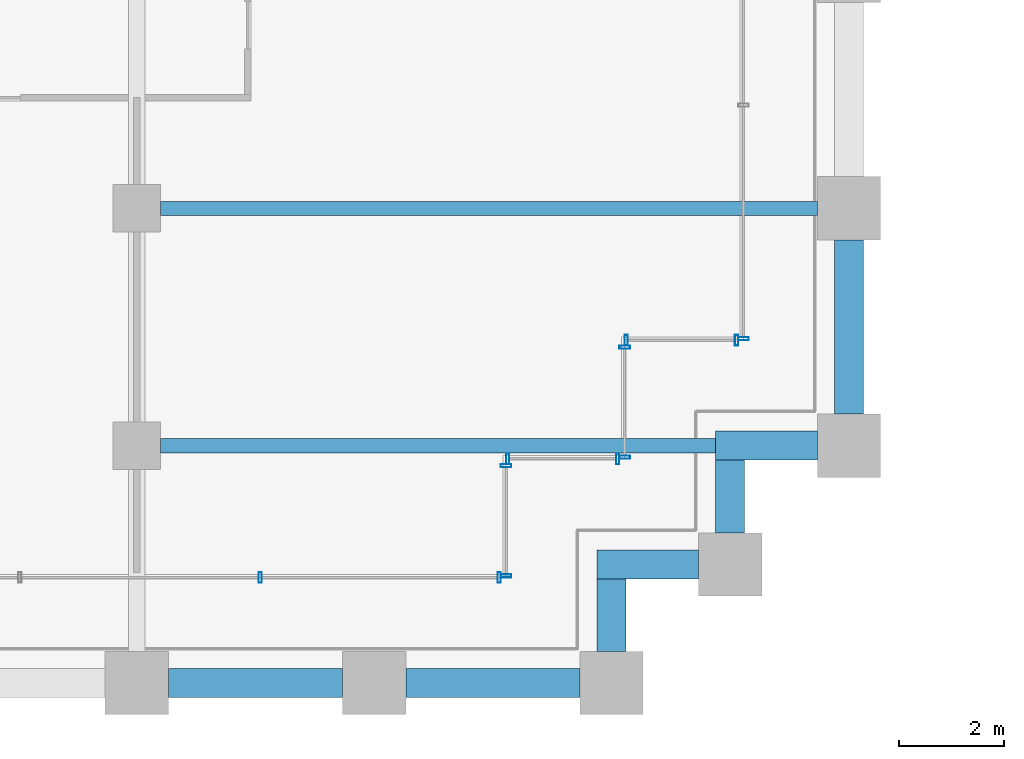
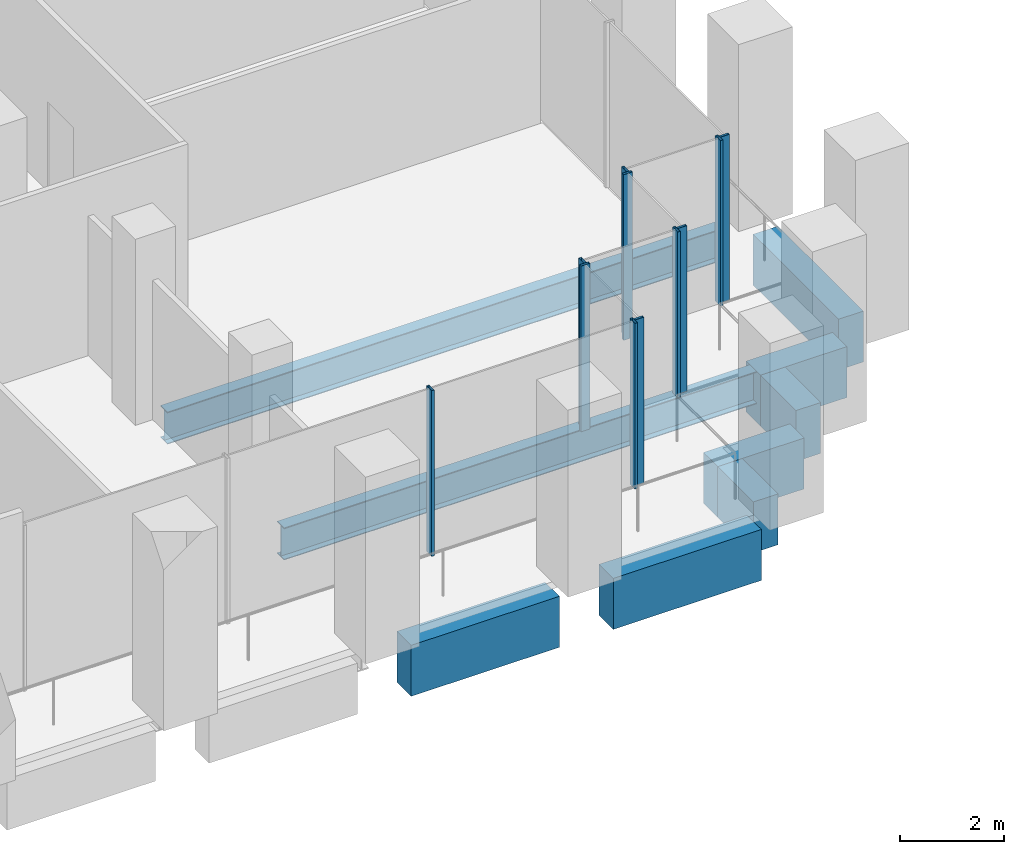
# One storey, part 9 of 36: 11 members, 9 beams, 6 elements without a shape of their own.
"""IFC4 building model written with IfcOpenShell, lengths in metres."""

import ifcopenshell
import ifcopenshell.guid

model = None  # the IFC model being written
_history = None  # IfcOwnerHistory: only IFC2X3 demands one
_inside = {}  # id of a spatial element -> (the spatial element, [elements in it])
_under = {}  # id of a project, library or spatial element -> (it, [spatial elements below it])
_declared = {}  # id of a project -> (the project, [libraries it declares])
_typed = {}  # id of a type object -> (the type object, [elements of that type])
_made_of = {}  # id of a material, layer set ... -> (it, [elements and type objects made of it])


def new_model(schema):
    """Start an empty IFC model of exactly this schema.

    Asked for "IFC4X3", IfcOpenShell would pick the latest addendum, in which some entities
    have other attributes; the version numbers below select the first issue.
    IFC2X3 requires an IfcOwnerHistory on every rooted entity: one is made here for all.
    """
    global model, _history
    if schema == "IFC4X3":
        model = ifcopenshell.file(schema_version=(4, 3, 0, 0))
    else:
        model = ifcopenshell.file(schema=schema)
    _inside.clear()
    _under.clear()
    _declared.clear()
    _typed.clear()
    _made_of.clear()
    _history = None
    if model.schema == "IFC2X3":
        org = make("IfcOrganization", Name="unknown")
        user = make(
            "IfcPersonAndOrganization",
            ThePerson=make("IfcPerson", FamilyName="unknown"),
            TheOrganization=org,
        )
        app = make(
            "IfcApplication",
            ApplicationDeveloper=org,
            Version="unknown",
            ApplicationFullName="unknown",
            ApplicationIdentifier="unknown",
        )
        _history = make(
            "IfcOwnerHistory",
            OwningUser=user,
            OwningApplication=app,
            ChangeAction="ADDED",
            CreationDate=0,
        )
    return model


def make(cls, **values):
    """One entity of the class cls with the attributes given. An attribute that is None is left unset."""
    return model.create_entity(
        cls, **{name: value for name, value in values.items() if value is not None}
    )


def rooted(cls, **values):
    """An entity with a GlobalId (a new one), such as an element, a storey or a relation."""
    return make(cls, GlobalId=ifcopenshell.guid.new(), OwnerHistory=_history, **values)


def si_unit(unit_type, name, prefix=None):
    """IfcSIUnit, for example si_unit("LENGTHUNIT", "METRE", prefix="MILLI")."""
    return make("IfcSIUnit", UnitType=unit_type, Prefix=prefix, Name=name)


def assignment(units):
    """IfcUnitAssignment: the units of a project."""
    return None if units is None else make("IfcUnitAssignment", Units=units)


def point(xyz):
    """IfcCartesianPoint."""
    return None if xyz is None else make("IfcCartesianPoint", Coordinates=xyz)


def direction(xyz):
    """IfcDirection."""
    return None if xyz is None else make("IfcDirection", DirectionRatios=xyz)


def frame(location, z_axis=None, x_axis=None):
    """IfcAxis2Placement3D, a coordinate frame: its origin and axes. An axis left out is left unset."""
    return make(
        "IfcAxis2Placement3D",
        Location=point(location),
        Axis=direction(z_axis),
        RefDirection=direction(x_axis),
    )


def frame_2d(location, x_axis=None):
    """IfcAxis2Placement2D, a coordinate frame in the plane: its origin and x axis."""
    return make(
        "IfcAxis2Placement2D", Location=point(location), RefDirection=direction(x_axis)
    )


def origin():
    """The frame at (0, 0, 0) with its axes left unset."""
    return frame((0.0, 0.0, 0.0))


def origin_2d():
    """The frame at (0, 0) in the plane with its x axis left unset."""
    return frame_2d((0.0, 0.0))


def place(relative_to, where):
    """IfcLocalPlacement: puts the frame where relative to a parent placement (None: the world)."""
    return make(
        "IfcLocalPlacement", PlacementRelTo=relative_to, RelativePlacement=where
    )


def context(
    kind, dimensions, precision=None, world=None, true_north=None, identifier=None
):
    """IfcGeometricRepresentationContext, for example the 3D "Model" context."""
    return make(
        "IfcGeometricRepresentationContext",
        ContextIdentifier=identifier,
        ContextType=kind,
        CoordinateSpaceDimension=dimensions,
        Precision=precision,
        WorldCoordinateSystem=world,
        TrueNorth=true_north,
    )


def subcontext(parent, identifier, kind, view, scale=None):
    """IfcGeometricRepresentationSubContext, for example "Body" below "Model"."""
    return make(
        "IfcGeometricRepresentationSubContext",
        ContextIdentifier=identifier,
        ContextType=kind,
        ParentContext=parent,
        TargetScale=scale,
        TargetView=view,
    )


def project(units=None, contexts=None):
    """IfcProject with its units and contexts."""
    return rooted(
        "IfcProject",
        Name="project",
        RepresentationContexts=contexts,
        UnitsInContext=assignment(units),
    )


def spatial(cls, under=None, at=None, **own):
    """A site, building, storey or space (cls), placed at a placement, below another one or the project."""
    s = rooted(cls, ObjectPlacement=at, **own)
    if under is not None:
        _under.setdefault(under.id(), (under, []))[1].append(s)
    return s


def profile(cls, at=None, kind="AREA", **sizes):
    """A parametric profile (cls). Its sizes go by their IFC names, for example OverallWidth=200.0."""
    return make(cls, ProfileType=kind, Position=at, **sizes)


def rectangle(**sizes):
    """IfcRectangleProfileDef."""
    return profile("IfcRectangleProfileDef", **sizes)


def hollow_rectangle(**sizes):
    """IfcRectangleHollowProfileDef."""
    return profile("IfcRectangleHollowProfileDef", **sizes)


def i_section(**sizes):
    """IfcIShapeProfileDef."""
    return profile("IfcIShapeProfileDef", **sizes)


def extrude(swept, where, along, depth):
    """IfcExtrudedAreaSolid: the profile swept, set in the frame where, extruded along a direction by depth."""
    return make(
        "IfcExtrudedAreaSolid",
        SweptArea=swept,
        Position=where,
        ExtrudedDirection=direction(along),
        Depth=depth,
    )


def shape(context_of_items, identifier, shape_type, items):
    """IfcShapeRepresentation: the items that make up one representation, for example the "Body"."""
    return make(
        "IfcShapeRepresentation",
        ContextOfItems=context_of_items,
        RepresentationIdentifier=identifier,
        RepresentationType=shape_type,
        Items=items,
    )


def material(Name=None, Category=None):
    """IfcMaterial."""
    return make("IfcMaterial", Name=Name, Category=Category)


def material_profile(
    of_material, cross_section, Name=None, Category=None, Priority=None
):
    """IfcMaterialProfile: a cross section and its material."""
    return make(
        "IfcMaterialProfile",
        Name=Name,
        Material=of_material,
        Profile=cross_section,
        Priority=Priority,
        Category=Category,
    )


def profile_set(profiles, Name=None, composite=None):
    """IfcMaterialProfileSet."""
    return make(
        "IfcMaterialProfileSet",
        Name=Name,
        MaterialProfiles=profiles,
        CompositeProfile=composite,
    )


def made_of(thing, what):
    """Note that an element or type object is made of a material, layer set ...; save() writes the relation."""
    if what is not None:
        _made_of.setdefault(what.id(), (what, []))[1].append(thing)
    return thing


def type_object(cls, material=None, **own):
    """A type object (cls), such as IfcWallType, which elements share."""
    return made_of(rooted(cls, **own), material)


def element(
    cls,
    number,
    at=None,
    inside=None,
    cuts=None,
    type_object=None,
    material=None,
    context=None,
    identifier="Body",
    shape_type=None,
    held_by="IfcProductDefinitionShape",
    body=None,
    shapes=None,
    **own,
):
    """One element of the class cls, such as IfcWall. Its Tag is "e" and its number.

    at: its placement. inside: the storey or other place that contains it. cuts: it is an
    opening in that element (IfcRelVoidsElement). A single representation is given by context,
    identifier, shape_type and body (its items); several are given by shapes. held_by: the class
    of the entity that holds the representations. save() writes the other relations.
    """
    e = rooted(cls, Tag="e%d" % number, ObjectPlacement=at, **own)
    if body is not None:
        shapes = [shape(context, identifier, shape_type, body)]
    if shapes is not None:
        e.Representation = make(held_by, Representations=shapes)
    if inside is not None:
        _inside.setdefault(inside.id(), (inside, []))[1].append(e)
    if cuts is not None:
        rooted(
            "IfcRelVoidsElement", RelatingBuildingElement=cuts, RelatedOpeningElement=e
        )
    if type_object is not None:
        _typed.setdefault(type_object.id(), (type_object, []))[1].append(e)
    return made_of(e, material)


def aggregate(whole, parts):
    """IfcRelAggregates: a whole, such as a stair, and the parts it consists of."""
    return rooted("IfcRelAggregates", RelatingObject=whole, RelatedObjects=parts)


def save(model, path):
    """Write the relations noted so far, then the file.

    IfcRelAggregates (storeys below a building ...), IfcRelContainedInSpatialStructure (elements
    in a storey), IfcRelDefinesByType, IfcRelAssociatesMaterial and IfcRelDeclares: one each for
    every whole, place, type object, material and project.
    """
    for whole, parts in _under.values():
        aggregate(whole, parts)
    for where, things in _inside.values():
        rooted(
            "IfcRelContainedInSpatialStructure",
            RelatedElements=things,
            RelatingStructure=where,
        )
    for kind, things in _typed.values():
        rooted("IfcRelDefinesByType", RelatedObjects=things, RelatingType=kind)
    for what, things in _made_of.values():
        rooted("IfcRelAssociatesMaterial", RelatedObjects=things, RelatingMaterial=what)
    for by, libraries in _declared.values():
        rooted("IfcRelDeclares", RelatingContext=by, RelatedDefinitions=libraries)
    model.write(path)


model = new_model("IFC4")

# Units and contexts
model_context = context("Model", 3, precision=1e-05, world=origin(), true_north=direction((0.0, 1.0)))
body_context = subcontext(model_context, "Body", "Model", "MODEL_VIEW")
ifc_project = project(units=[si_unit("LENGTHUNIT", "METRE"), si_unit("AREAUNIT", "SQUARE_METRE"), si_unit("VOLUMEUNIT", "CUBIC_METRE"), si_unit("PLANEANGLEUNIT", "RADIAN"), si_unit("MASSUNIT", "GRAM", prefix="KILO")], contexts=[model_context])

# Site, building, storey
site_placement = place(None, origin())
site = spatial("IfcSite", under=ifc_project, at=site_placement, CompositionType="ELEMENT")
building_placement = place(site_placement, origin())
building = spatial("IfcBuilding", under=site, at=building_placement, Name="Altepetl Exchange Towers", CompositionType="ELEMENT")
storey_placement = place(building_placement, frame((0.0, 0.0, 25.39990234375)))
storey = spatial("IfcBuildingStorey", under=building, at=storey_placement, Name="L05", CompositionType="ELEMENT", Elevation=25.39990234375)

# Beams
ifc_material_1 = material(Name="Steel S355", Category="steel")
ifc_material_profile_1 = material_profile(ifc_material_1, i_section(OverallWidth=0.26611328125, OverallDepth=0.758056640625, WebThickness=0.013916015625, FlangeThickness=0.019287109375, at=origin_2d()), Name="W30X108")
ifc_profile_set_1 = profile_set([ifc_material_profile_1], Name="Steel S355")
beam_type_1 = type_object("IfcBeamType", Name="Floor beam W30X108", PredefinedType="BEAM", material=ifc_profile_set_1)
beam_1_placement = place(storey_placement, frame((58.949951171875, 31.5, -0.553955078125), z_axis=(1.0, 0.0, 0.0), x_axis=(0.0, 1.0, 0.0)))
element("IfcBeam", 1, at=beam_1_placement, inside=storey, type_object=beam_type_1, Name="bm:A:L05:006", PredefinedType="BEAM", context=body_context, shape_type="SweptSolid", body=[
    extrude(i_section(OverallWidth=0.26611328125, OverallDepth=0.758056640625, WebThickness=0.013916015625, FlangeThickness=0.019287109375, at=origin_2d()), origin(), (0.0, 0.0, 1.0), 10.525146484375),
])
beam_2_placement = place(storey_placement, frame((58.949951171875, 36.0, -0.553955078125), z_axis=(1.0, 0.0, 0.0), x_axis=(0.0, 1.0, 0.0)))
element("IfcBeam", 2, at=beam_2_placement, inside=storey, type_object=beam_type_1, Name="bm:A:L05:007", PredefinedType="BEAM", context=body_context, shape_type="SweptSolid", body=[
    extrude(i_section(OverallWidth=0.26611328125, OverallDepth=0.758056640625, WebThickness=0.013916015625, FlangeThickness=0.019287109375, at=origin_2d()), origin(), (0.0, 0.0, 1.0), 12.449951171875),
])

# Curtain wall, members
ifc_material_2 = material(Name="Aluminium 6063-T6 glazing", Category="aluminium")
curtain_wall_type = type_object("IfcCurtainWallType", Name="Trading floor glazing system", PredefinedType="NOTDEFINED", material=ifc_material_2)
curtain_wall_1_placement = place(storey_placement, origin())
curtain_wall_1 = element("IfcCurtainWall", 3, at=curtain_wall_1_placement, inside=storey, type_object=curtain_wall_type, Name="CW2 run", PredefinedType="NOTDEFINED")
ifc_material_3 = material(Name="Aluminium 6063-T6", Category="aluminium")
ifc_material_profile_2 = material_profile(ifc_material_3, hollow_rectangle(XDim=0.06005859375, YDim=0.199951171875, WallThickness=0.0029296875, at=origin_2d()), Name="Mullion 60x200 aluminium")
ifc_profile_set_2 = profile_set([ifc_material_profile_2], Name="Aluminium 6063-T6")
member_type = type_object("IfcMemberType", Name="Mullion 60x200 aluminium", PredefinedType="MULLION", material=ifc_profile_set_2)
member_1_placement = place(storey_placement, frame((60.8427734375, 29.0, 0.0)))
member_1 = element("IfcMember", 4, at=member_1_placement, type_object=member_type, Name="MU2 mullion", PredefinedType="MULLION", context=body_context, shape_type="SweptSolid", body=[
    extrude(hollow_rectangle(XDim=0.06005859375, YDim=0.199951171875, WallThickness=0.0029296875, at=origin_2d()), origin(), (0.0, 0.0, 1.0), 3.900146484375),
])
member_2_placement = place(storey_placement, frame((65.3701171875, 29.0, 0.0)))
member_2 = element("IfcMember", 5, at=member_2_placement, type_object=member_type, Name="MU2 mullion", PredefinedType="MULLION", context=body_context, shape_type="SweptSolid", body=[
    extrude(hollow_rectangle(XDim=0.06005859375, YDim=0.199951171875, WallThickness=0.0029296875, at=origin_2d()), origin(), (0.0, 0.0, 1.0), 3.900146484375),
])
aggregate(curtain_wall_1, [member_1, member_2])

curtain_wall_2_placement = place(storey_placement, origin())
curtain_wall_2 = element("IfcCurtainWall", 6, at=curtain_wall_2_placement, inside=storey, type_object=curtain_wall_type, Name="CW2 run", PredefinedType="NOTDEFINED")
member_3_placement = place(storey_placement, frame((65.5, 29.030029296875, 0.0), z_axis=(0.0, 0.0, 1.0), x_axis=(0.0, 1.0, 0.0)))
member_3 = element("IfcMember", 7, at=member_3_placement, type_object=member_type, Name="MU2 mullion", PredefinedType="MULLION", context=body_context, shape_type="SweptSolid", body=[
    extrude(hollow_rectangle(XDim=0.06005859375, YDim=0.199951171875, WallThickness=0.0029296875, at=origin_2d()), origin(), (0.0, 0.0, 1.0), 3.900146484375),
])
member_4_placement = place(storey_placement, frame((65.5, 31.1201171875, 0.0), z_axis=(0.0, 0.0, 1.0), x_axis=(0.0, 1.0, 0.0)))
member_4 = element("IfcMember", 8, at=member_4_placement, type_object=member_type, Name="MU2 mullion", PredefinedType="MULLION", context=body_context, shape_type="SweptSolid", body=[
    extrude(hollow_rectangle(XDim=0.06005859375, YDim=0.199951171875, WallThickness=0.0029296875, at=origin_2d()), origin(), (0.0, 0.0, 1.0), 3.900146484375),
])
aggregate(curtain_wall_2, [member_3, member_4])

curtain_wall_3_placement = place(storey_placement, origin())
curtain_wall_3 = element("IfcCurtainWall", 9, at=curtain_wall_3_placement, inside=storey, type_object=curtain_wall_type, Name="CW2 run", PredefinedType="NOTDEFINED")
member_5_placement = place(storey_placement, frame((65.530029296875, 31.25, 0.0)))
member_5 = element("IfcMember", 10, at=member_5_placement, type_object=member_type, Name="MU2 mullion", PredefinedType="MULLION", context=body_context, shape_type="SweptSolid", body=[
    extrude(hollow_rectangle(XDim=0.06005859375, YDim=0.199951171875, WallThickness=0.0029296875, at=origin_2d()), origin(), (0.0, 0.0, 1.0), 3.900146484375),
])
member_6_placement = place(storey_placement, frame((67.6201171875, 31.25, 0.0)))
member_6 = element("IfcMember", 11, at=member_6_placement, type_object=member_type, Name="MU2 mullion", PredefinedType="MULLION", context=body_context, shape_type="SweptSolid", body=[
    extrude(hollow_rectangle(XDim=0.06005859375, YDim=0.199951171875, WallThickness=0.0029296875, at=origin_2d()), origin(), (0.0, 0.0, 1.0), 3.900146484375),
])
aggregate(curtain_wall_3, [member_5, member_6])

curtain_wall_4_placement = place(storey_placement, origin())
curtain_wall_4 = element("IfcCurtainWall", 12, at=curtain_wall_4_placement, inside=storey, type_object=curtain_wall_type, Name="CW2 run", PredefinedType="NOTDEFINED")
member_7_placement = place(storey_placement, frame((67.75, 31.280029296875, 0.0), z_axis=(0.0, 0.0, 1.0), x_axis=(0.0, 1.0, 0.0)))
member_7 = element("IfcMember", 13, at=member_7_placement, type_object=member_type, Name="MU2 mullion", PredefinedType="MULLION", context=body_context, shape_type="SweptSolid", body=[
    extrude(hollow_rectangle(XDim=0.06005859375, YDim=0.199951171875, WallThickness=0.0029296875, at=origin_2d()), origin(), (0.0, 0.0, 1.0), 3.900146484375),
])
member_8_placement = place(storey_placement, frame((67.75, 33.3701171875, 0.0), z_axis=(0.0, 0.0, 1.0), x_axis=(0.0, 1.0, 0.0)))
member_8 = element("IfcMember", 14, at=member_8_placement, type_object=member_type, Name="MU2 mullion", PredefinedType="MULLION", context=body_context, shape_type="SweptSolid", body=[
    extrude(hollow_rectangle(XDim=0.06005859375, YDim=0.199951171875, WallThickness=0.0029296875, at=origin_2d()), origin(), (0.0, 0.0, 1.0), 3.900146484375),
])
aggregate(curtain_wall_4, [member_7, member_8])

curtain_wall_5_placement = place(storey_placement, origin())
curtain_wall_5 = element("IfcCurtainWall", 15, at=curtain_wall_5_placement, inside=storey, type_object=curtain_wall_type, Name="CW2 run", PredefinedType="NOTDEFINED")
member_9_placement = place(storey_placement, frame((67.780029296875, 33.5, 0.0)))
member_9 = element("IfcMember", 16, at=member_9_placement, type_object=member_type, Name="MU2 mullion", PredefinedType="MULLION", context=body_context, shape_type="SweptSolid", body=[
    extrude(hollow_rectangle(XDim=0.06005859375, YDim=0.199951171875, WallThickness=0.0029296875, at=origin_2d()), origin(), (0.0, 0.0, 1.0), 3.900146484375),
])
member_10_placement = place(storey_placement, frame((69.8701171875, 33.5, 0.0)))
member_10 = element("IfcMember", 17, at=member_10_placement, type_object=member_type, Name="MU2 mullion", PredefinedType="MULLION", context=body_context, shape_type="SweptSolid", body=[
    extrude(hollow_rectangle(XDim=0.06005859375, YDim=0.199951171875, WallThickness=0.0029296875, at=origin_2d()), origin(), (0.0, 0.0, 1.0), 3.900146484375),
])
aggregate(curtain_wall_5, [member_9, member_10])

# Curtain wall, member
curtain_wall_6_placement = place(storey_placement, origin())
curtain_wall_6 = element("IfcCurtainWall", 18, at=curtain_wall_6_placement, inside=storey, type_object=curtain_wall_type, Name="CW2 run", PredefinedType="NOTDEFINED")
member_11_placement = place(storey_placement, frame((70.0, 33.530029296875, 0.0), z_axis=(0.0, 0.0, 1.0), x_axis=(0.0, 1.0, 0.0)))
member_11 = element("IfcMember", 19, at=member_11_placement, type_object=member_type, Name="MU2 mullion", PredefinedType="MULLION", context=body_context, shape_type="SweptSolid", body=[
    extrude(hollow_rectangle(XDim=0.06005859375, YDim=0.199951171875, WallThickness=0.0029296875, at=origin_2d()), origin(), (0.0, 0.0, 1.0), 3.900146484375),
])
aggregate(curtain_wall_6, [member_11])

# Beams
ifc_material_4 = material(Name="Concrete C50/60 precast with cantera amarilla facing", Category="concrete")
ifc_material_profile_3 = material_profile(ifc_material_4, rectangle(XDim=0.550048828125, YDim=1.199951171875, at=origin_2d()), Name="550 x 1200")
ifc_profile_set_3 = profile_set([ifc_material_profile_3], Name="Concrete C50/60 precast with cantera amarilla facing")
beam_type_2 = type_object("IfcBeamType", Name="Spandrel beam 550x1200 cantera amarilla", PredefinedType="SPANDREL", material=ifc_profile_set_3)
for number, where, z_axis, x_axis, name in (
    (20, (59.10009765625, 27.0, -0.77490234375), (1.0, 0.0, 0.0), (0.0, 1.0, 0.0), "sp:A:L05:006"),
    (21, (63.60009765625, 27.0, -0.77490234375), (1.0, 0.0, 0.0), (0.0, 1.0, 0.0), "sp:A:L05:007"),
):
    element("IfcBeam", number, at=place(storey_placement, frame(where, z_axis=z_axis, x_axis=x_axis)), inside=storey, type_object=beam_type_2, Name=name, PredefinedType="SPANDREL", context=body_context, shape_type="SweptSolid", body=[
        extrude(rectangle(XDim=0.550048828125, YDim=1.199951171875, at=origin_2d()), origin(), (0.0, 0.0, 1.0), 3.2998046875),
    ])
beam_3_placement = place(storey_placement, frame((67.5, 27.60009765625, -0.77490234375), z_axis=(0.0, 1.0, 0.0), x_axis=(-1.0, 0.0, 0.0)))
element("IfcBeam", 22, at=beam_3_placement, inside=storey, type_object=beam_type_2, Name="sp:A:L05:008", PredefinedType="SPANDREL", context=body_context, shape_type="SweptSolid", body=[
    extrude(rectangle(XDim=0.550048828125, YDim=1.199951171875, at=origin_2d()), origin(), (0.0, 0.0, 1.0), 1.375),
])
beam_4_placement = place(storey_placement, frame((67.22509765625, 29.25, -0.77490234375), z_axis=(1.0, 0.0, 0.0), x_axis=(0.0, 1.0, 0.0)))
element("IfcBeam", 23, at=beam_4_placement, inside=storey, type_object=beam_type_2, Name="sp:A:L05:009", PredefinedType="SPANDREL", context=body_context, shape_type="SweptSolid", body=[
    extrude(rectangle(XDim=0.550048828125, YDim=1.199951171875, at=origin_2d()), origin(), (0.0, 0.0, 1.0), 1.9248046875),
])
beam_5_placement = place(storey_placement, frame((69.75, 29.85009765625, -0.77490234375), z_axis=(0.0, 1.0, 0.0), x_axis=(-1.0, 0.0, 0.0)))
element("IfcBeam", 24, at=beam_5_placement, inside=storey, type_object=beam_type_2, Name="sp:A:L05:010", PredefinedType="SPANDREL", context=body_context, shape_type="SweptSolid", body=[
    extrude(rectangle(XDim=0.550048828125, YDim=1.199951171875, at=origin_2d()), origin(), (0.0, 0.0, 1.0), 1.375),
])
beam_6_placement = place(storey_placement, frame((69.47509765625, 31.5, -0.77490234375), z_axis=(1.0, 0.0, 0.0), x_axis=(0.0, 1.0, 0.0)))
element("IfcBeam", 25, at=beam_6_placement, inside=storey, type_object=beam_type_2, Name="sp:A:L05:011", PredefinedType="SPANDREL", context=body_context, shape_type="SweptSolid", body=[
    extrude(rectangle(XDim=0.550048828125, YDim=1.199951171875, at=origin_2d()), origin(), (0.0, 0.0, 1.0), 1.9248046875),
])
beam_7_placement = place(storey_placement, frame((72.0, 32.10009765625, -0.77490234375), z_axis=(0.0, 1.0, 0.0), x_axis=(-1.0, 0.0, 0.0)))
element("IfcBeam", 26, at=beam_7_placement, inside=storey, type_object=beam_type_2, Name="sp:A:L05:012", PredefinedType="SPANDREL", context=body_context, shape_type="SweptSolid", body=[
    extrude(rectangle(XDim=0.550048828125, YDim=1.199951171875, at=origin_2d()), origin(), (0.0, 0.0, 1.0), 3.2998046875),
])

save(model, "model.ifc")
